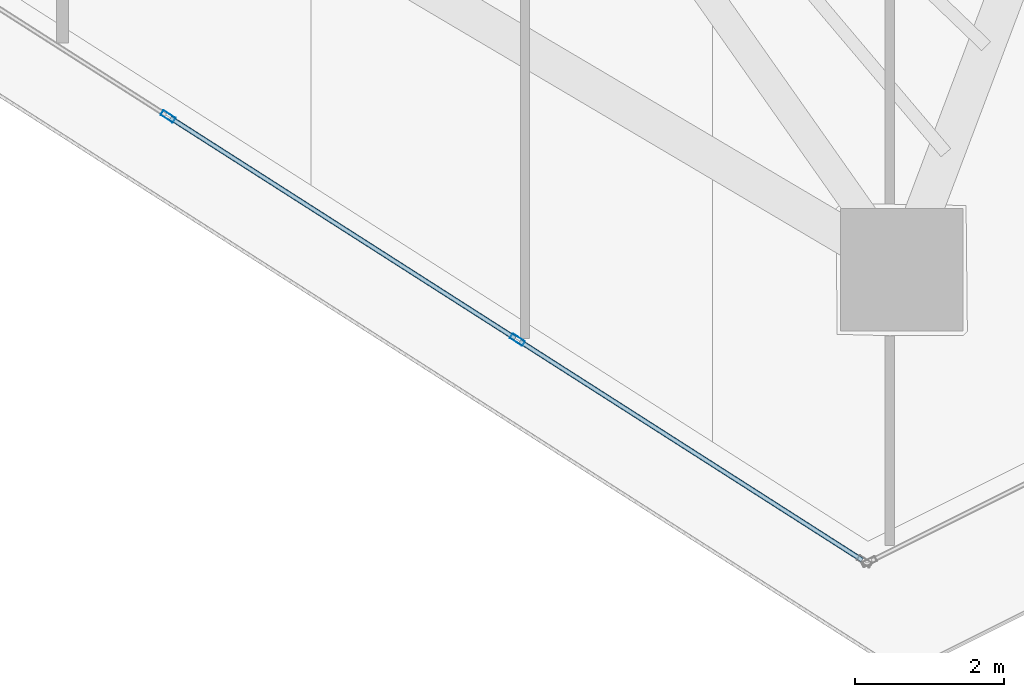
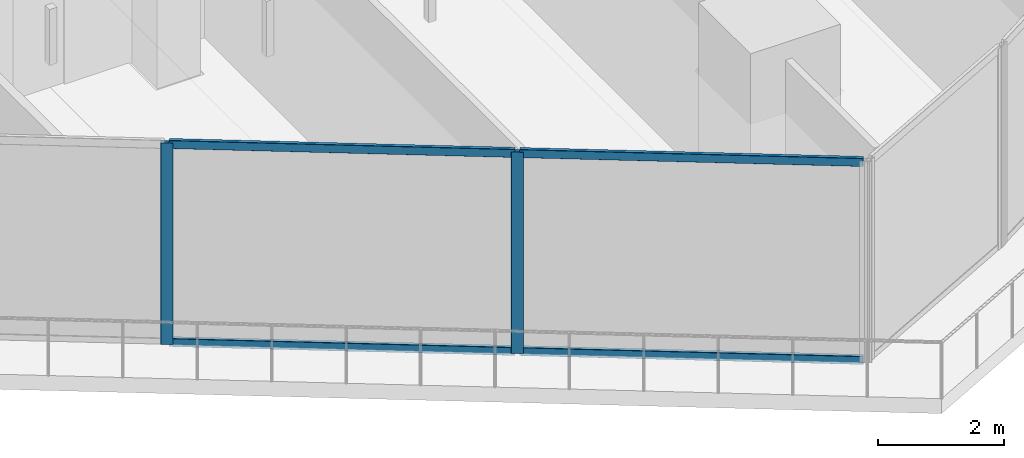
# One storey, part 3 of 36: 6 members, 1 element without a shape of its own.
"""IFC4 building model written with IfcOpenShell, lengths in metres."""

import ifcopenshell
import ifcopenshell.guid

model = None  # the IFC model being written
_history = None  # IfcOwnerHistory: only IFC2X3 demands one
_inside = {}  # id of a spatial element -> (the spatial element, [elements in it])
_under = {}  # id of a project, library or spatial element -> (it, [spatial elements below it])
_declared = {}  # id of a project -> (the project, [libraries it declares])
_typed = {}  # id of a type object -> (the type object, [elements of that type])
_made_of = {}  # id of a material, layer set ... -> (it, [elements and type objects made of it])


def new_model(schema):
    """Start an empty IFC model of exactly this schema.

    Asked for "IFC4X3", IfcOpenShell would pick the latest addendum, in which some entities
    have other attributes; the version numbers below select the first issue.
    IFC2X3 requires an IfcOwnerHistory on every rooted entity: one is made here for all.
    """
    global model, _history
    if schema == "IFC4X3":
        model = ifcopenshell.file(schema_version=(4, 3, 0, 0))
    else:
        model = ifcopenshell.file(schema=schema)
    _inside.clear()
    _under.clear()
    _declared.clear()
    _typed.clear()
    _made_of.clear()
    _history = None
    if model.schema == "IFC2X3":
        org = make("IfcOrganization", Name="unknown")
        user = make(
            "IfcPersonAndOrganization",
            ThePerson=make("IfcPerson", FamilyName="unknown"),
            TheOrganization=org,
        )
        app = make(
            "IfcApplication",
            ApplicationDeveloper=org,
            Version="unknown",
            ApplicationFullName="unknown",
            ApplicationIdentifier="unknown",
        )
        _history = make(
            "IfcOwnerHistory",
            OwningUser=user,
            OwningApplication=app,
            ChangeAction="ADDED",
            CreationDate=0,
        )
    return model


def make(cls, **values):
    """One entity of the class cls with the attributes given. An attribute that is None is left unset."""
    return model.create_entity(
        cls, **{name: value for name, value in values.items() if value is not None}
    )


def rooted(cls, **values):
    """An entity with a GlobalId (a new one), such as an element, a storey or a relation."""
    return make(cls, GlobalId=ifcopenshell.guid.new(), OwnerHistory=_history, **values)


def si_unit(unit_type, name, prefix=None):
    """IfcSIUnit, for example si_unit("LENGTHUNIT", "METRE", prefix="MILLI")."""
    return make("IfcSIUnit", UnitType=unit_type, Prefix=prefix, Name=name)


def assignment(units):
    """IfcUnitAssignment: the units of a project."""
    return None if units is None else make("IfcUnitAssignment", Units=units)


def point(xyz):
    """IfcCartesianPoint."""
    return None if xyz is None else make("IfcCartesianPoint", Coordinates=xyz)


def direction(xyz):
    """IfcDirection."""
    return None if xyz is None else make("IfcDirection", DirectionRatios=xyz)


def frame(location, z_axis=None, x_axis=None):
    """IfcAxis2Placement3D, a coordinate frame: its origin and axes. An axis left out is left unset."""
    return make(
        "IfcAxis2Placement3D",
        Location=point(location),
        Axis=direction(z_axis),
        RefDirection=direction(x_axis),
    )


def frame_2d(location, x_axis=None):
    """IfcAxis2Placement2D, a coordinate frame in the plane: its origin and x axis."""
    return make(
        "IfcAxis2Placement2D", Location=point(location), RefDirection=direction(x_axis)
    )


def origin():
    """The frame at (0, 0, 0) with its axes left unset."""
    return frame((0.0, 0.0, 0.0))


def origin_2d():
    """The frame at (0, 0) in the plane with its x axis left unset."""
    return frame_2d((0.0, 0.0))


def place(relative_to, where):
    """IfcLocalPlacement: puts the frame where relative to a parent placement (None: the world)."""
    return make(
        "IfcLocalPlacement", PlacementRelTo=relative_to, RelativePlacement=where
    )


def context(
    kind, dimensions, precision=None, world=None, true_north=None, identifier=None
):
    """IfcGeometricRepresentationContext, for example the 3D "Model" context."""
    return make(
        "IfcGeometricRepresentationContext",
        ContextIdentifier=identifier,
        ContextType=kind,
        CoordinateSpaceDimension=dimensions,
        Precision=precision,
        WorldCoordinateSystem=world,
        TrueNorth=true_north,
    )


def subcontext(parent, identifier, kind, view, scale=None):
    """IfcGeometricRepresentationSubContext, for example "Body" below "Model"."""
    return make(
        "IfcGeometricRepresentationSubContext",
        ContextIdentifier=identifier,
        ContextType=kind,
        ParentContext=parent,
        TargetScale=scale,
        TargetView=view,
    )


def project(units=None, contexts=None):
    """IfcProject with its units and contexts."""
    return rooted(
        "IfcProject",
        Name="project",
        RepresentationContexts=contexts,
        UnitsInContext=assignment(units),
    )


def spatial(cls, under=None, at=None, **own):
    """A site, building, storey or space (cls), placed at a placement, below another one or the project."""
    s = rooted(cls, ObjectPlacement=at, **own)
    if under is not None:
        _under.setdefault(under.id(), (under, []))[1].append(s)
    return s


def profile(cls, at=None, kind="AREA", **sizes):
    """A parametric profile (cls). Its sizes go by their IFC names, for example OverallWidth=200.0."""
    return make(cls, ProfileType=kind, Position=at, **sizes)


def hollow_rectangle(**sizes):
    """IfcRectangleHollowProfileDef."""
    return profile("IfcRectangleHollowProfileDef", **sizes)


def extrude(swept, where, along, depth):
    """IfcExtrudedAreaSolid: the profile swept, set in the frame where, extruded along a direction by depth."""
    return make(
        "IfcExtrudedAreaSolid",
        SweptArea=swept,
        Position=where,
        ExtrudedDirection=direction(along),
        Depth=depth,
    )


def shape(context_of_items, identifier, shape_type, items):
    """IfcShapeRepresentation: the items that make up one representation, for example the "Body"."""
    return make(
        "IfcShapeRepresentation",
        ContextOfItems=context_of_items,
        RepresentationIdentifier=identifier,
        RepresentationType=shape_type,
        Items=items,
    )


def material(Name=None, Category=None):
    """IfcMaterial."""
    return make("IfcMaterial", Name=Name, Category=Category)


def layer(
    of_material, thickness, ventilated=None, Name=None, Category=None, Priority=None
):
    """IfcMaterialLayer: one layer of a wall or slab, of a material (None: an air gap)."""
    return make(
        "IfcMaterialLayer",
        Material=of_material,
        LayerThickness=thickness,
        IsVentilated=ventilated,
        Name=Name,
        Category=Category,
        Priority=Priority,
    )


def layer_set(layers, Name=None):
    """IfcMaterialLayerSet."""
    return make("IfcMaterialLayerSet", MaterialLayers=layers, LayerSetName=Name)


def material_profile(
    of_material, cross_section, Name=None, Category=None, Priority=None
):
    """IfcMaterialProfile: a cross section and its material."""
    return make(
        "IfcMaterialProfile",
        Name=Name,
        Material=of_material,
        Profile=cross_section,
        Priority=Priority,
        Category=Category,
    )


def profile_set(profiles, Name=None, composite=None):
    """IfcMaterialProfileSet."""
    return make(
        "IfcMaterialProfileSet",
        Name=Name,
        MaterialProfiles=profiles,
        CompositeProfile=composite,
    )


def made_of(thing, what):
    """Note that an element or type object is made of a material, layer set ...; save() writes the relation."""
    if what is not None:
        _made_of.setdefault(what.id(), (what, []))[1].append(thing)
    return thing


def type_object(cls, material=None, **own):
    """A type object (cls), such as IfcWallType, which elements share."""
    return made_of(rooted(cls, **own), material)


def element(
    cls,
    number,
    at=None,
    inside=None,
    cuts=None,
    type_object=None,
    material=None,
    context=None,
    identifier="Body",
    shape_type=None,
    held_by="IfcProductDefinitionShape",
    body=None,
    shapes=None,
    **own,
):
    """One element of the class cls, such as IfcWall. Its Tag is "e" and its number.

    at: its placement. inside: the storey or other place that contains it. cuts: it is an
    opening in that element (IfcRelVoidsElement). A single representation is given by context,
    identifier, shape_type and body (its items); several are given by shapes. held_by: the class
    of the entity that holds the representations. save() writes the other relations.
    """
    e = rooted(cls, Tag="e%d" % number, ObjectPlacement=at, **own)
    if body is not None:
        shapes = [shape(context, identifier, shape_type, body)]
    if shapes is not None:
        e.Representation = make(held_by, Representations=shapes)
    if inside is not None:
        _inside.setdefault(inside.id(), (inside, []))[1].append(e)
    if cuts is not None:
        rooted(
            "IfcRelVoidsElement", RelatingBuildingElement=cuts, RelatedOpeningElement=e
        )
    if type_object is not None:
        _typed.setdefault(type_object.id(), (type_object, []))[1].append(e)
    return made_of(e, material)


def aggregate(whole, parts):
    """IfcRelAggregates: a whole, such as a stair, and the parts it consists of."""
    return rooted("IfcRelAggregates", RelatingObject=whole, RelatedObjects=parts)


def save(model, path):
    """Write the relations noted so far, then the file.

    IfcRelAggregates (storeys below a building ...), IfcRelContainedInSpatialStructure (elements
    in a storey), IfcRelDefinesByType, IfcRelAssociatesMaterial and IfcRelDeclares: one each for
    every whole, place, type object, material and project.
    """
    for whole, parts in _under.values():
        aggregate(whole, parts)
    for where, things in _inside.values():
        rooted(
            "IfcRelContainedInSpatialStructure",
            RelatedElements=things,
            RelatingStructure=where,
        )
    for kind, things in _typed.values():
        rooted("IfcRelDefinesByType", RelatedObjects=things, RelatingType=kind)
    for what, things in _made_of.values():
        rooted("IfcRelAssociatesMaterial", RelatedObjects=things, RelatingMaterial=what)
    for by, libraries in _declared.values():
        rooted("IfcRelDeclares", RelatingContext=by, RelatedDefinitions=libraries)
    model.write(path)


model = new_model("IFC4")

# Units and contexts
model_context = context("Model", 3, precision=1e-05, world=origin(), true_north=direction((0.0, 1.0)))
body_context = subcontext(model_context, "Body", "Model", "MODEL_VIEW")
ifc_project = project(units=[si_unit("LENGTHUNIT", "METRE"), si_unit("AREAUNIT", "SQUARE_METRE"), si_unit("VOLUMEUNIT", "CUBIC_METRE"), si_unit("PLANEANGLEUNIT", "RADIAN"), si_unit("MASSUNIT", "GRAM", prefix="KILO")], contexts=[model_context])

# Site, building, storey
site_placement = place(None, origin())
site = spatial("IfcSite", under=ifc_project, at=site_placement, CompositionType="ELEMENT")
building_placement = place(site_placement, origin())
building = spatial("IfcBuilding", under=site, at=building_placement, Name="Qorvath Tower", CompositionType="ELEMENT")
storey_placement = place(building_placement, frame((0.0, 0.0, 272.39990234375)))
storey = spatial("IfcBuildingStorey", under=building, at=storey_placement, Name="L63", CompositionType="ELEMENT", Elevation=272.39990234375)

# Curtain wall, members
ifc_material_1 = material(Name="Anodised aluminium and triple low-E glass", Category="aluminium")
ifc_layer = layer(ifc_material_1, 0.179931640625)
ifc_layer_set = layer_set([ifc_layer], Name="CW-SYS-4")
curtain_wall_type = type_object("IfcCurtainWallType", Name="CW-SYS-4", PredefinedType="NOTDEFINED", material=ifc_layer_set)
curtain_wall_placement = place(storey_placement, origin())
curtain_wall = element("IfcCurtainWall", 1, at=curtain_wall_placement, inside=storey, type_object=curtain_wall_type, Name="Curtain Wall CW-4 CW-T-L63-2.1", PredefinedType="NOTDEFINED")
ifc_material_2 = material(Name="Anodised aluminium 6063-T6", Category="aluminium")
ifc_material_profile_1 = material_profile(ifc_material_2, hollow_rectangle(XDim=0.074951171875, YDim=0.199951171875, WallThickness=0.00390625, InnerFilletRadius=0.00390625, OuterFilletRadius=0.008056640625, at=origin_2d()), Name="CWM 200x75")
ifc_profile_set_1 = profile_set([ifc_material_profile_1], Name="Anodised aluminium 6063-T6")
member_type_1 = type_object("IfcMemberType", Name="CWM-200", PredefinedType="MULLION", material=ifc_profile_set_1)
member_1_placement = place(storey_placement, frame((-27.390380859375, -18.03564453125, 0.0), z_axis=(0.0, 0.0, 1.0), x_axis=(0.538533509281, 0.842604094093, 0.0)))
member_1 = element("IfcMember", 2, at=member_1_placement, type_object=member_type_1, Name="CW-4 mullion 6", PredefinedType="MULLION", context=body_context, shape_type="SweptSolid", body=[
    extrude(hollow_rectangle(XDim=0.074951171875, YDim=0.199951171875, WallThickness=0.00390625, InnerFilletRadius=0.00390625, OuterFilletRadius=0.008056640625, at=origin_2d()), origin(), (0.0, 0.0, 1.0), 3.91015625),
])
member_2_placement = place(storey_placement, frame((-22.687255859375, -21.04150390625, 0.0), z_axis=(0.0, 0.0, 1.0), x_axis=(0.538533509281, 0.842604094093, 0.0)))
member_2 = element("IfcMember", 3, at=member_2_placement, type_object=member_type_1, Name="CW-4 mullion 7", PredefinedType="MULLION", context=body_context, shape_type="SweptSolid", body=[
    extrude(hollow_rectangle(XDim=0.074951171875, YDim=0.199951171875, WallThickness=0.00390625, InnerFilletRadius=0.00390625, OuterFilletRadius=0.008056640625, at=origin_2d()), origin(), (0.0, 0.0, 1.0), 3.91015625),
])
ifc_material_3 = material(Name="Anodised aluminium 6063-T6", Category="aluminium")
ifc_material_profile_2 = material_profile(ifc_material_3, hollow_rectangle(XDim=0.06494140625, YDim=0.159912109375, WallThickness=0.00341796875, InnerFilletRadius=0.00341796875, OuterFilletRadius=0.007080078125, at=origin_2d()), Name="CWT 160x65")
ifc_profile_set_2 = profile_set([ifc_material_profile_2], Name="Anodised aluminium 6063-T6")
member_type_2 = type_object("IfcMemberType", Name="CWT-160", PredefinedType="USERDEFINED", material=ifc_profile_set_2)
member_3_placement = place(storey_placement, frame((-27.35888671875, -18.0556640625, 0.032470703125), z_axis=(0.842610204835, -0.538523948129, 0.0), x_axis=(0.538523948129, 0.842610204835, 0.0)))
member_3 = element("IfcMember", 4, at=member_3_placement, type_object=member_type_2, Name="CW-4 transom 6.1", ObjectType="TRANSOM", PredefinedType="USERDEFINED", context=body_context, shape_type="SweptSolid", body=[
    extrude(hollow_rectangle(XDim=0.06494140625, YDim=0.159912109375, WallThickness=0.00341796875, InnerFilletRadius=0.00341796875, OuterFilletRadius=0.007080078125, at=origin_2d()), origin(), (0.0, 0.0, 1.0), 5.5068359375),
])
member_4_placement = place(storey_placement, frame((-27.35888671875, -18.0556640625, 3.877685546875), z_axis=(0.842610204835, -0.538523948129, 0.0), x_axis=(0.538523948129, 0.842610204835, 0.0)))
member_4 = element("IfcMember", 5, at=member_4_placement, type_object=member_type_2, Name="CW-4 transom 6.2", ObjectType="TRANSOM", PredefinedType="USERDEFINED", context=body_context, shape_type="SweptSolid", body=[
    extrude(hollow_rectangle(XDim=0.06494140625, YDim=0.159912109375, WallThickness=0.00341796875, InnerFilletRadius=0.00341796875, OuterFilletRadius=0.007080078125, at=origin_2d()), origin(), (0.0, 0.0, 1.0), 5.5068359375),
])
member_5_placement = place(storey_placement, frame((-22.65576171875, -21.061767578125, 0.032470703125), z_axis=(0.842608486836, -0.538526636215, 0.0), x_axis=(0.538526636215, 0.842608486836, 0.0)))
member_5 = element("IfcMember", 6, at=member_5_placement, type_object=member_type_2, Name="CW-4 transom 7.1", ObjectType="TRANSOM", PredefinedType="USERDEFINED", context=body_context, shape_type="SweptSolid", body=[
    extrude(hollow_rectangle(XDim=0.06494140625, YDim=0.159912109375, WallThickness=0.00341796875, InnerFilletRadius=0.00341796875, OuterFilletRadius=0.007080078125, at=origin_2d()), origin(), (0.0, 0.0, 1.0), 5.46923828125),
])
member_6_placement = place(storey_placement, frame((-22.65576171875, -21.061767578125, 3.877685546875), z_axis=(0.842608486836, -0.538526636215, 0.0), x_axis=(0.538526636215, 0.842608486836, 0.0)))
member_6 = element("IfcMember", 7, at=member_6_placement, type_object=member_type_2, Name="CW-4 transom 7.2", ObjectType="TRANSOM", PredefinedType="USERDEFINED", context=body_context, shape_type="SweptSolid", body=[
    extrude(hollow_rectangle(XDim=0.06494140625, YDim=0.159912109375, WallThickness=0.00341796875, InnerFilletRadius=0.00341796875, OuterFilletRadius=0.007080078125, at=origin_2d()), origin(), (0.0, 0.0, 1.0), 5.46923828125),
])
aggregate(curtain_wall, [member_1, member_2, member_3, member_4, member_5, member_6])

save(model, "model.ifc")
